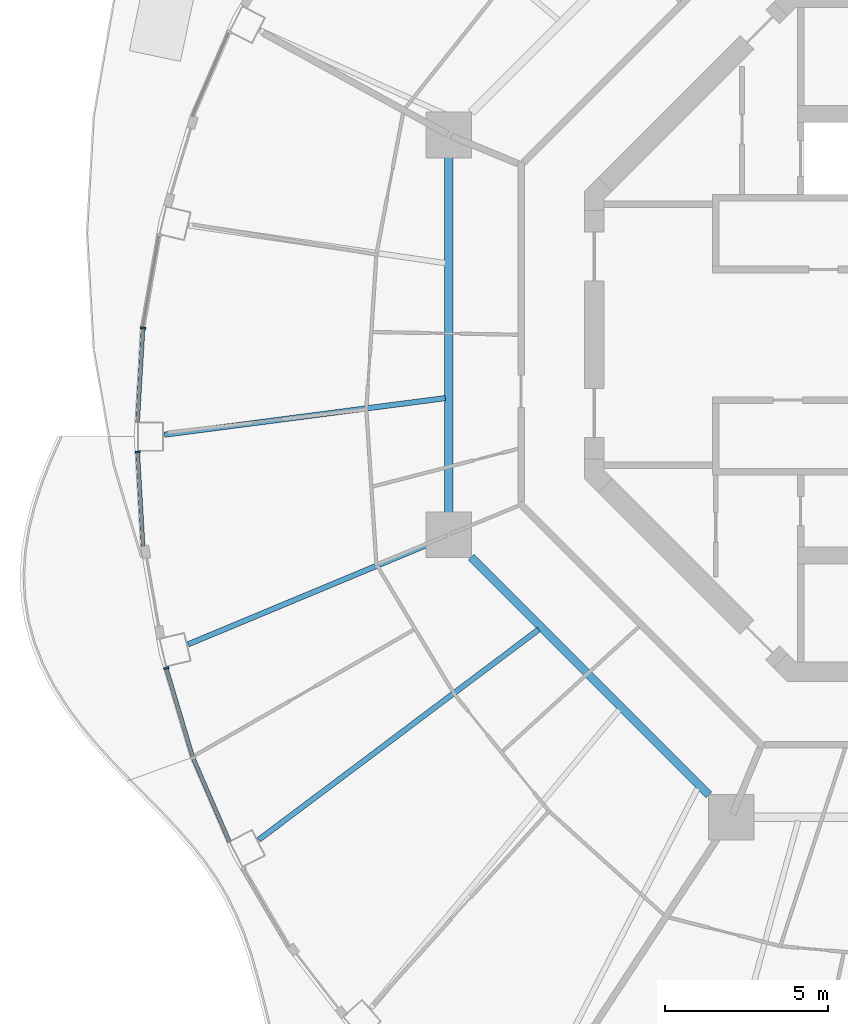
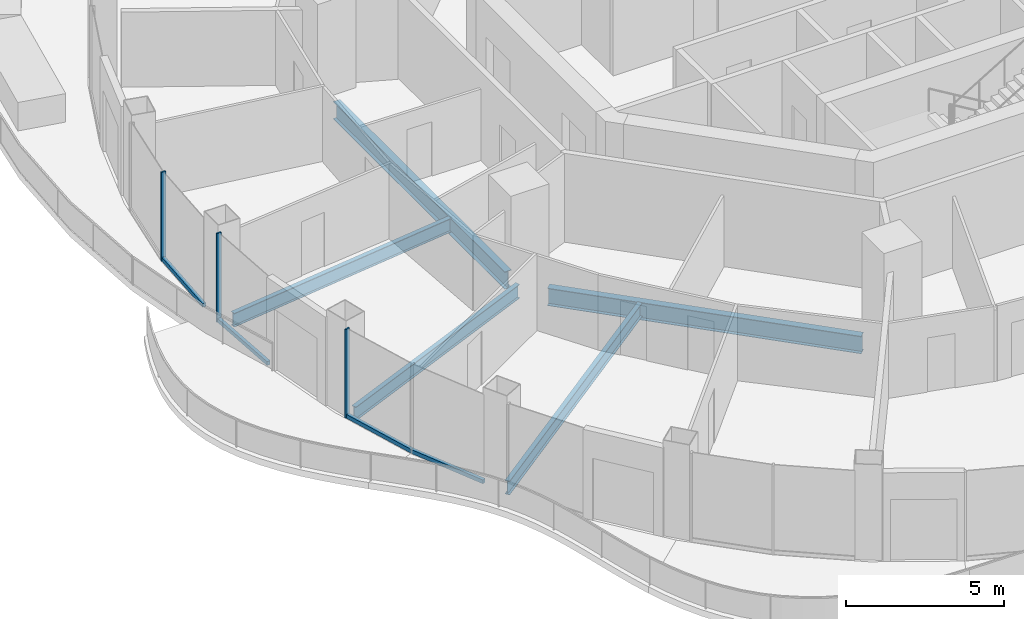
# One storey, part 3 of 17: 7 members, 5 beams, 4 elements without a shape of their own.
"""IFC4 building model written with IfcOpenShell, lengths in metres."""

import ifcopenshell
import ifcopenshell.guid

model = None  # the IFC model being written
_history = None  # IfcOwnerHistory: only IFC2X3 demands one
_inside = {}  # id of a spatial element -> (the spatial element, [elements in it])
_under = {}  # id of a project, library or spatial element -> (it, [spatial elements below it])
_declared = {}  # id of a project -> (the project, [libraries it declares])
_typed = {}  # id of a type object -> (the type object, [elements of that type])
_made_of = {}  # id of a material, layer set ... -> (it, [elements and type objects made of it])


def new_model(schema):
    """Start an empty IFC model of exactly this schema.

    Asked for "IFC4X3", IfcOpenShell would pick the latest addendum, in which some entities
    have other attributes; the version numbers below select the first issue.
    IFC2X3 requires an IfcOwnerHistory on every rooted entity: one is made here for all.
    """
    global model, _history
    if schema == "IFC4X3":
        model = ifcopenshell.file(schema_version=(4, 3, 0, 0))
    else:
        model = ifcopenshell.file(schema=schema)
    _inside.clear()
    _under.clear()
    _declared.clear()
    _typed.clear()
    _made_of.clear()
    _history = None
    if model.schema == "IFC2X3":
        org = make("IfcOrganization", Name="unknown")
        user = make(
            "IfcPersonAndOrganization",
            ThePerson=make("IfcPerson", FamilyName="unknown"),
            TheOrganization=org,
        )
        app = make(
            "IfcApplication",
            ApplicationDeveloper=org,
            Version="unknown",
            ApplicationFullName="unknown",
            ApplicationIdentifier="unknown",
        )
        _history = make(
            "IfcOwnerHistory",
            OwningUser=user,
            OwningApplication=app,
            ChangeAction="ADDED",
            CreationDate=0,
        )
    return model


def make(cls, **values):
    """One entity of the class cls with the attributes given. An attribute that is None is left unset."""
    return model.create_entity(
        cls, **{name: value for name, value in values.items() if value is not None}
    )


def rooted(cls, **values):
    """An entity with a GlobalId (a new one), such as an element, a storey or a relation."""
    return make(cls, GlobalId=ifcopenshell.guid.new(), OwnerHistory=_history, **values)


def si_unit(unit_type, name, prefix=None):
    """IfcSIUnit, for example si_unit("LENGTHUNIT", "METRE", prefix="MILLI")."""
    return make("IfcSIUnit", UnitType=unit_type, Prefix=prefix, Name=name)


def assignment(units):
    """IfcUnitAssignment: the units of a project."""
    return None if units is None else make("IfcUnitAssignment", Units=units)


def point(xyz):
    """IfcCartesianPoint."""
    return None if xyz is None else make("IfcCartesianPoint", Coordinates=xyz)


def direction(xyz):
    """IfcDirection."""
    return None if xyz is None else make("IfcDirection", DirectionRatios=xyz)


def frame(location, z_axis=None, x_axis=None):
    """IfcAxis2Placement3D, a coordinate frame: its origin and axes. An axis left out is left unset."""
    return make(
        "IfcAxis2Placement3D",
        Location=point(location),
        Axis=direction(z_axis),
        RefDirection=direction(x_axis),
    )


def frame_2d(location, x_axis=None):
    """IfcAxis2Placement2D, a coordinate frame in the plane: its origin and x axis."""
    return make(
        "IfcAxis2Placement2D", Location=point(location), RefDirection=direction(x_axis)
    )


def origin():
    """The frame at (0, 0, 0) with its axes left unset."""
    return frame((0.0, 0.0, 0.0))


def origin_2d():
    """The frame at (0, 0) in the plane with its x axis left unset."""
    return frame_2d((0.0, 0.0))


def place(relative_to, where):
    """IfcLocalPlacement: puts the frame where relative to a parent placement (None: the world)."""
    return make(
        "IfcLocalPlacement", PlacementRelTo=relative_to, RelativePlacement=where
    )


def context(
    kind, dimensions, precision=None, world=None, true_north=None, identifier=None
):
    """IfcGeometricRepresentationContext, for example the 3D "Model" context."""
    return make(
        "IfcGeometricRepresentationContext",
        ContextIdentifier=identifier,
        ContextType=kind,
        CoordinateSpaceDimension=dimensions,
        Precision=precision,
        WorldCoordinateSystem=world,
        TrueNorth=true_north,
    )


def subcontext(parent, identifier, kind, view, scale=None):
    """IfcGeometricRepresentationSubContext, for example "Body" below "Model"."""
    return make(
        "IfcGeometricRepresentationSubContext",
        ContextIdentifier=identifier,
        ContextType=kind,
        ParentContext=parent,
        TargetScale=scale,
        TargetView=view,
    )


def project(units=None, contexts=None):
    """IfcProject with its units and contexts."""
    return rooted(
        "IfcProject",
        Name="project",
        RepresentationContexts=contexts,
        UnitsInContext=assignment(units),
    )


def spatial(cls, under=None, at=None, **own):
    """A site, building, storey or space (cls), placed at a placement, below another one or the project."""
    s = rooted(cls, ObjectPlacement=at, **own)
    if under is not None:
        _under.setdefault(under.id(), (under, []))[1].append(s)
    return s


def profile(cls, at=None, kind="AREA", **sizes):
    """A parametric profile (cls). Its sizes go by their IFC names, for example OverallWidth=200.0."""
    return make(cls, ProfileType=kind, Position=at, **sizes)


def rectangle(**sizes):
    """IfcRectangleProfileDef."""
    return profile("IfcRectangleProfileDef", **sizes)


def i_section(**sizes):
    """IfcIShapeProfileDef."""
    return profile("IfcIShapeProfileDef", **sizes)


def extrude(swept, where, along, depth):
    """IfcExtrudedAreaSolid: the profile swept, set in the frame where, extruded along a direction by depth."""
    return make(
        "IfcExtrudedAreaSolid",
        SweptArea=swept,
        Position=where,
        ExtrudedDirection=direction(along),
        Depth=depth,
    )


def shape(context_of_items, identifier, shape_type, items):
    """IfcShapeRepresentation: the items that make up one representation, for example the "Body"."""
    return make(
        "IfcShapeRepresentation",
        ContextOfItems=context_of_items,
        RepresentationIdentifier=identifier,
        RepresentationType=shape_type,
        Items=items,
    )


def material(Name=None, Category=None):
    """IfcMaterial."""
    return make("IfcMaterial", Name=Name, Category=Category)


def layer(
    of_material, thickness, ventilated=None, Name=None, Category=None, Priority=None
):
    """IfcMaterialLayer: one layer of a wall or slab, of a material (None: an air gap)."""
    return make(
        "IfcMaterialLayer",
        Material=of_material,
        LayerThickness=thickness,
        IsVentilated=ventilated,
        Name=Name,
        Category=Category,
        Priority=Priority,
    )


def layer_set(layers, Name=None):
    """IfcMaterialLayerSet."""
    return make("IfcMaterialLayerSet", MaterialLayers=layers, LayerSetName=Name)


def material_profile(
    of_material, cross_section, Name=None, Category=None, Priority=None
):
    """IfcMaterialProfile: a cross section and its material."""
    return make(
        "IfcMaterialProfile",
        Name=Name,
        Material=of_material,
        Profile=cross_section,
        Priority=Priority,
        Category=Category,
    )


def profile_set(profiles, Name=None, composite=None):
    """IfcMaterialProfileSet."""
    return make(
        "IfcMaterialProfileSet",
        Name=Name,
        MaterialProfiles=profiles,
        CompositeProfile=composite,
    )


def made_of(thing, what):
    """Note that an element or type object is made of a material, layer set ...; save() writes the relation."""
    if what is not None:
        _made_of.setdefault(what.id(), (what, []))[1].append(thing)
    return thing


def type_object(cls, material=None, **own):
    """A type object (cls), such as IfcWallType, which elements share."""
    return made_of(rooted(cls, **own), material)


def element(
    cls,
    number,
    at=None,
    inside=None,
    cuts=None,
    type_object=None,
    material=None,
    context=None,
    identifier="Body",
    shape_type=None,
    held_by="IfcProductDefinitionShape",
    body=None,
    shapes=None,
    **own,
):
    """One element of the class cls, such as IfcWall. Its Tag is "e" and its number.

    at: its placement. inside: the storey or other place that contains it. cuts: it is an
    opening in that element (IfcRelVoidsElement). A single representation is given by context,
    identifier, shape_type and body (its items); several are given by shapes. held_by: the class
    of the entity that holds the representations. save() writes the other relations.
    """
    e = rooted(cls, Tag="e%d" % number, ObjectPlacement=at, **own)
    if body is not None:
        shapes = [shape(context, identifier, shape_type, body)]
    if shapes is not None:
        e.Representation = make(held_by, Representations=shapes)
    if inside is not None:
        _inside.setdefault(inside.id(), (inside, []))[1].append(e)
    if cuts is not None:
        rooted(
            "IfcRelVoidsElement", RelatingBuildingElement=cuts, RelatedOpeningElement=e
        )
    if type_object is not None:
        _typed.setdefault(type_object.id(), (type_object, []))[1].append(e)
    return made_of(e, material)


def aggregate(whole, parts):
    """IfcRelAggregates: a whole, such as a stair, and the parts it consists of."""
    return rooted("IfcRelAggregates", RelatingObject=whole, RelatedObjects=parts)


def save(model, path):
    """Write the relations noted so far, then the file.

    IfcRelAggregates (storeys below a building ...), IfcRelContainedInSpatialStructure (elements
    in a storey), IfcRelDefinesByType, IfcRelAssociatesMaterial and IfcRelDeclares: one each for
    every whole, place, type object, material and project.
    """
    for whole, parts in _under.values():
        aggregate(whole, parts)
    for where, things in _inside.values():
        rooted(
            "IfcRelContainedInSpatialStructure",
            RelatedElements=things,
            RelatingStructure=where,
        )
    for kind, things in _typed.values():
        rooted("IfcRelDefinesByType", RelatedObjects=things, RelatingType=kind)
    for what, things in _made_of.values():
        rooted("IfcRelAssociatesMaterial", RelatedObjects=things, RelatingMaterial=what)
    for by, libraries in _declared.values():
        rooted("IfcRelDeclares", RelatingContext=by, RelatedDefinitions=libraries)
    model.write(path)


model = new_model("IFC4")

# Units and contexts
model_context = context("Model", 3, precision=1e-05, world=origin(), true_north=direction((0.0, 1.0)))
body_context = subcontext(model_context, "Body", "Model", "MODEL_VIEW")
ifc_project = project(units=[si_unit("LENGTHUNIT", "METRE"), si_unit("AREAUNIT", "SQUARE_METRE"), si_unit("VOLUMEUNIT", "CUBIC_METRE"), si_unit("PLANEANGLEUNIT", "RADIAN"), si_unit("MASSUNIT", "GRAM", prefix="KILO")], contexts=[model_context])

# Site, building, storey
site_placement = place(None, origin())
site = spatial("IfcSite", under=ifc_project, at=site_placement, CompositionType="ELEMENT")
building_placement = place(site_placement, origin())
building = spatial("IfcBuilding", under=site, at=building_placement, Name="Nagisa Residences", CompositionType="ELEMENT")
storey_placement = place(building_placement, frame((0.0, 0.0, 258.5)))
storey = spatial("IfcBuildingStorey", under=building, at=storey_placement, Name="L65", CompositionType="ELEMENT", Elevation=258.5)

# Curtain wall, member
ifc_material_1 = material(Name="Concrete-coloured aluminium curtain wall system", Category="concrete")
ifc_layer = layer(ifc_material_1, 0.159912109375)
ifc_layer_set = layer_set([ifc_layer], Name="CW1 CURTAIN WALL")
curtain_wall_type = type_object("IfcCurtainWallType", Name="CW1 CURTAIN WALL", PredefinedType="NOTDEFINED", material=ifc_layer_set)
curtain_wall_1_placement = place(storey_placement, origin())
curtain_wall_1 = element("IfcCurtainWall", 1, at=curtain_wall_1_placement, inside=storey, type_object=curtain_wall_type, Name="cw:CW1:L65:23", PredefinedType="NOTDEFINED")
ifc_material_2 = material(Name="Concrete-coloured aluminium", Category="concrete")
ifc_material_profile_1 = material_profile(ifc_material_2, rectangle(XDim=0.159912109375, YDim=0.06005859375, at=origin_2d()), Name="CW1 MULLION 160x60")
ifc_profile_set_1 = profile_set([ifc_material_profile_1], Name="Concrete-coloured aluminium")
member_type_1 = type_object("IfcMemberType", Name="CW1 MULLION 160x60", PredefinedType="MULLION", material=ifc_profile_set_1)
member_1_placement = place(storey_placement, frame((-24.1484375, 0.20751953125, 0.0), z_axis=(0.0, 0.0, 1.0), x_axis=(0.998345305184, -0.057503492216, 0.0)))
member_1 = element("IfcMember", 2, at=member_1_placement, type_object=member_type_1, Name="CW1 mullion", PredefinedType="MULLION", context=body_context, shape_type="SweptSolid", body=[
    extrude(rectangle(XDim=0.159912109375, YDim=0.06005859375, at=origin_2d()), origin(), (0.0, 0.0, 1.0), 3.43994140625),
])

curtain_wall_2_placement = place(storey_placement, origin())
curtain_wall_2 = element("IfcCurtainWall", 3, at=curtain_wall_2_placement, inside=storey, type_object=curtain_wall_type, Name="cw:CW1:L65:24", PredefinedType="NOTDEFINED")
member_2_placement = place(storey_placement, frame((-24.3125, -3.59228515625, 0.0), z_axis=(0.0, 0.0, 1.0), x_axis=(0.998345305184, 0.057503492216, 0.0)))
member_2 = element("IfcMember", 4, at=member_2_placement, type_object=member_type_1, Name="CW1 mullion", PredefinedType="MULLION", context=body_context, shape_type="SweptSolid", body=[
    extrude(rectangle(XDim=0.159912109375, YDim=0.06005859375, at=origin_2d()), origin(), (0.0, 0.0, 1.0), 3.43994140625),
])

curtain_wall_3_placement = place(storey_placement, origin())
curtain_wall_3 = element("IfcCurtainWall", 5, at=curtain_wall_3_placement, inside=storey, type_object=curtain_wall_type, Name="cw:CW1:L65:26", PredefinedType="NOTDEFINED")
member_3_placement = place(storey_placement, frame((-23.435302734375, -10.216796875, 0.0), z_axis=(0.0, 0.0, 1.0), x_axis=(0.958271310082, 0.285860274038, 0.0)))
member_3 = element("IfcMember", 6, at=member_3_placement, type_object=member_type_1, Name="CW1 mullion", PredefinedType="MULLION", context=body_context, shape_type="SweptSolid", body=[
    extrude(rectangle(XDim=0.159912109375, YDim=0.06005859375, at=origin_2d()), origin(), (0.0, 0.0, 1.0), 3.43994140625),
])

# Member
ifc_material_3 = material(Name="Concrete-coloured aluminium", Category="concrete")
ifc_material_profile_2 = material_profile(ifc_material_3, rectangle(XDim=0.1201171875, YDim=0.14990234375, at=origin_2d()), Name="CW1 TRANSOM 120x150")
ifc_profile_set_2 = profile_set([ifc_material_profile_2], Name="Concrete-coloured aluminium")
member_type_2 = type_object("IfcMemberType", Name="CW1 TRANSOM 120x150", PredefinedType="USERDEFINED", material=ifc_profile_set_2)
member_4_placement = place(storey_placement, frame((-24.146728515625, 0.237548828125, 0.074951171875), z_axis=(-0.057445660401, -0.998348634547, 0.0), x_axis=(0.998348634547, -0.057445660401, 0.0)))
member_4 = element("IfcMember", 7, at=member_4_placement, type_object=member_type_2, Name="CW1 transom", ObjectType="TRANSOM", PredefinedType="USERDEFINED", context=body_context, shape_type="SweptSolid", body=[
    extrude(rectangle(XDim=0.1201171875, YDim=0.14990234375, at=origin_2d()), origin(), (0.0, 0.0, 1.0), 2.91552734375),
])

aggregate(curtain_wall_1, [member_1, member_4])

member_5_placement = place(storey_placement, frame((-24.314208984375, -3.562255859375, 0.074951171875), z_axis=(0.057445660401, -0.998348634547, 0.0), x_axis=(0.998348634547, 0.057445660401, 0.0)))
member_5 = element("IfcMember", 8, at=member_5_placement, type_object=member_type_2, Name="CW1 transom", ObjectType="TRANSOM", PredefinedType="USERDEFINED", context=body_context, shape_type="SweptSolid", body=[
    extrude(rectangle(XDim=0.1201171875, YDim=0.14990234375, at=origin_2d()), origin(), (0.0, 0.0, 1.0), 2.91552734375),
])

aggregate(curtain_wall_2, [member_2, member_5])

member_6_placement = place(storey_placement, frame((-23.44384765625, -10.18798828125, 0.074951171875), z_axis=(0.285798286059, -0.958289799427, 0.0), x_axis=(0.958289799427, 0.285798286059, 0.0)))
member_6 = element("IfcMember", 9, at=member_6_placement, type_object=member_type_2, Name="CW1 transom", ObjectType="TRANSOM", PredefinedType="USERDEFINED", context=body_context, shape_type="SweptSolid", body=[
    extrude(rectangle(XDim=0.1201171875, YDim=0.14990234375, at=origin_2d()), origin(), (0.0, 0.0, 1.0), 2.877197265625),
])

aggregate(curtain_wall_3, [member_3, member_6])

# Curtain wall, member
curtain_wall_4_placement = place(storey_placement, origin())
curtain_wall_4 = element("IfcCurtainWall", 10, at=curtain_wall_4_placement, inside=storey, type_object=curtain_wall_type, Name="cw:CW1:L65:27", PredefinedType="NOTDEFINED")
member_7_placement = place(storey_placement, frame((-22.624755859375, -12.93603515625, 0.074951171875), z_axis=(0.397597791596, -0.9175598052, 0.0), x_axis=(0.9175598052, 0.397597791596, 0.0)))
member_7 = element("IfcMember", 11, at=member_7_placement, type_object=member_type_2, Name="CW1 transom", ObjectType="TRANSOM", PredefinedType="USERDEFINED", context=body_context, shape_type="SweptSolid", body=[
    extrude(rectangle(XDim=0.1201171875, YDim=0.14990234375, at=origin_2d()), origin(), (0.0, 0.0, 1.0), 2.841064453125),
])
aggregate(curtain_wall_4, [member_7])

# Beams
ifc_material_4 = material(Name="Steel ASTM A572 Gr 50", Category="steel")
ifc_material_profile_3 = material_profile(ifc_material_4, i_section(OverallWidth=0.2529296875, OverallDepth=0.677978515625, WebThickness=0.01171875, FlangeThickness=0.016357421875, at=origin_2d()), Name="W690x125")
ifc_profile_set_3 = profile_set([ifc_material_profile_3], Name="Steel ASTM A572 Gr 50")
beam_type_1 = type_object("IfcBeamType", Name="Inner ring beam W690x125", PredefinedType="BEAM", material=ifc_profile_set_3)
beam_1_placement = place(storey_placement, frame((-14.781982421875, 5.44287109375, -0.59912109375), z_axis=(0.0, -1.0, 0.0), x_axis=(1.0, 0.0, 0.0)))
element("IfcBeam", 12, at=beam_1_placement, inside=storey, type_object=beam_type_1, Name="beam:L65:ib4", PredefinedType="BEAM", context=body_context, shape_type="SweptSolid", body=[
    extrude(i_section(OverallWidth=0.2529296875, OverallDepth=0.677978515625, WebThickness=0.01171875, FlangeThickness=0.016357421875, at=origin_2d()), origin(), (0.0, 0.0, 1.0), 10.8857421875),
])
beam_2_placement = place(storey_placement, frame((-14.09619140625, -6.808837890625, -0.59912109375), z_axis=(0.707106781187, -0.707106781187, 0.0), x_axis=(0.707106781187, 0.707106781187, 0.0)))
element("IfcBeam", 13, at=beam_2_placement, inside=storey, type_object=beam_type_1, Name="beam:L65:ib5", PredefinedType="BEAM", context=body_context, shape_type="SweptSolid", body=[
    extrude(i_section(OverallWidth=0.2529296875, OverallDepth=0.677978515625, WebThickness=0.01171875, FlangeThickness=0.016357421875, at=origin_2d()), origin(), (0.0, 0.0, 1.0), 10.305908203125),
])
ifc_material_5 = material(Name="Steel ASTM A572 Gr 50", Category="steel")
ifc_material_profile_4 = material_profile(ifc_material_5, i_section(OverallWidth=0.166015625, OverallDepth=0.534912109375, WebThickness=0.01025390625, FlangeThickness=0.0166015625, at=origin_2d()), Name="W530x85")
ifc_profile_set_4 = profile_set([ifc_material_profile_4], Name="Steel ASTM A572 Gr 50")
beam_type_2 = type_object("IfcBeamType", Name="Radial beam W530x85", PredefinedType="BEAM", material=ifc_profile_set_4)
beam_3_placement = place(storey_placement, frame((-23.48974609375, -3.0615234375, -0.527587890625), z_axis=(0.99161562876, 0.129222462437, 0.0), x_axis=(-0.129222462437, 0.99161562876, 0.0)))
element("IfcBeam", 14, at=beam_3_placement, inside=storey, type_object=beam_type_2, Name="beam:L65:rb13", PredefinedType="BEAM", context=body_context, shape_type="SweptSolid", body=[
    extrude(i_section(OverallWidth=0.166015625, OverallDepth=0.534912109375, WebThickness=0.01025390625, FlangeThickness=0.0166015625, at=origin_2d()), origin(), (0.0, 0.0, 1.0), 8.673828125),
])
beam_4_placement = place(storey_placement, frame((-22.763671875, -9.482666015625, -0.527587890625), z_axis=(0.923107310626, 0.384542446381, 0.0), x_axis=(-0.384542446381, 0.923107310626, 0.0)))
element("IfcBeam", 15, at=beam_4_placement, inside=storey, type_object=beam_type_2, Name="beam:L65:rb14", PredefinedType="BEAM", context=body_context, shape_type="SweptSolid", body=[
    extrude(i_section(OverallWidth=0.166015625, OverallDepth=0.534912109375, WebThickness=0.01025390625, FlangeThickness=0.0166015625, at=origin_2d()), origin(), (0.0, 0.0, 1.0), 8.556396484375),
])
beam_5_placement = place(storey_placement, frame((-20.607177734375, -15.475341796875, -0.527587890625), z_axis=(0.799620400801, 0.600505798992, 0.0), x_axis=(-0.600505798992, 0.799620400801, 0.0)))
element("IfcBeam", 16, at=beam_5_placement, inside=storey, type_object=beam_type_2, Name="beam:L65:rb15", PredefinedType="BEAM", context=body_context, shape_type="SweptSolid", body=[
    extrude(i_section(OverallWidth=0.166015625, OverallDepth=0.534912109375, WebThickness=0.01025390625, FlangeThickness=0.0166015625, at=origin_2d()), origin(), (0.0, 0.0, 1.0), 10.732421875),
])

save(model, "model.ifc")
